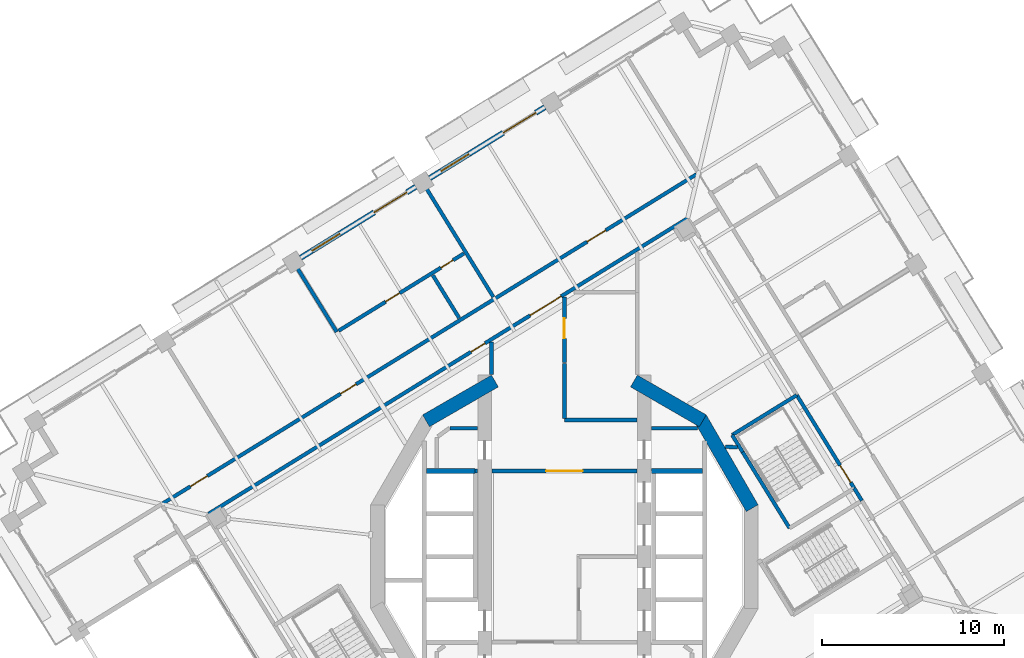
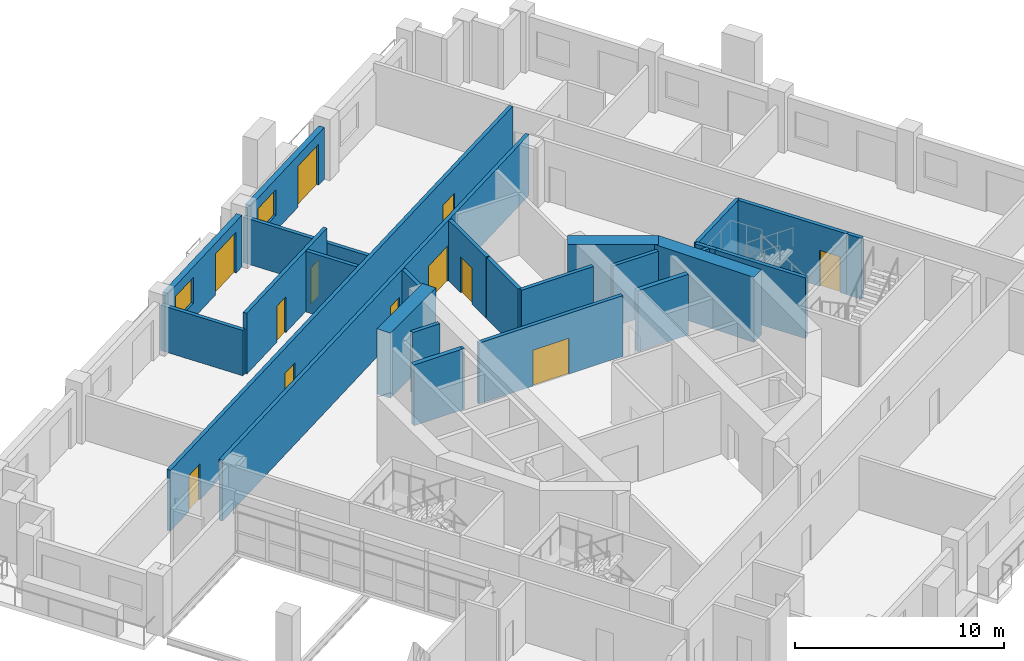
# One storey, part 9 of 20: 27 walls, 12 doors, 2 windows, 14 openings.
"""IFC4 building model written with IfcOpenShell, lengths in metres."""

from ifc_helpers import new_model, si_unit, direction, frame, frame_2d, origin, place, context, subcontext, project, spatial, rectangle, extrude, material, layer, layer_set, type_object, element, fill, save


model = new_model("IFC4")

# Units and contexts
model_context = context("Model", 3, precision=1e-05, world=origin(), true_north=direction((0.0, 1.0)))
body_context = subcontext(model_context, "Body", "Model", "MODEL_VIEW")
ifc_project = project(units=[si_unit("LENGTHUNIT", "METRE"), si_unit("AREAUNIT", "SQUARE_METRE"), si_unit("VOLUMEUNIT", "CUBIC_METRE"), si_unit("PLANEANGLEUNIT", "RADIAN"), si_unit("MASSUNIT", "GRAM", prefix="KILO")], contexts=[model_context])

# Site, building, storey
site_placement = place(None, origin())
site = spatial("IfcSite", under=ifc_project, at=site_placement, CompositionType="ELEMENT")
building_placement = place(site_placement, origin())
building = spatial("IfcBuilding", under=site, at=building_placement, Name="Cantera Rosa Tower", CompositionType="ELEMENT")
storey_placement = place(building_placement, frame((0.0, 0.0, 155.199951171875)))
storey = spatial("IfcBuildingStorey", under=building, at=storey_placement, Name="L33", CompositionType="ELEMENT", Elevation=155.199951171875)

# Wall
ifc_material_1 = material(Name="Gypsum board partition")
ifc_layer_1 = layer(ifc_material_1, 0.199951171875)
ifc_layer_set_1 = layer_set([ifc_layer_1], Name="CORRIDOR WALL 200 H3550")
wall_type_1 = type_object("IfcWallType", Name="CORRIDOR WALL 200 H3550", PredefinedType="PARTITIONING", material=ifc_layer_set_1)
wall_1_placement = place(storey_placement, frame((-4.0, 11.765625, 0.0), z_axis=(0.0, 0.0, 1.0), x_axis=(0.0, -1.0, 0.0)))
element("IfcWall", 1, at=wall_1_placement, inside=storey, type_object=wall_type_1, Name="CORRIDOR WALL L33-053", PredefinedType="PARTITIONING", context=body_context, shape_type="SweptSolid", body=[
    extrude(rectangle(XDim=1.771484375, YDim=0.199951171875, at=frame_2d((0.8857421875, 0.0))), origin(), (0.0, 0.0, 1.0), 3.550048828125),
])

# Wall, opening, door
wall_2_placement = place(storey_placement, frame((-3.969970703125, 4.699951171875, 0.0), z_axis=(0.0, 0.0, 1.0), x_axis=(1.0, 0.0, 0.0)))
wall_2 = element("IfcWall", 2, at=wall_2_placement, inside=storey, type_object=wall_type_1, Name="CORRIDOR WALL L33-054", PredefinedType="PARTITIONING", context=body_context, shape_type="SweptSolid", body=[
    extrude(rectangle(XDim=7.93994140625, YDim=0.199951171875, at=frame_2d((3.969970703125, 0.0))), origin(), (0.0, 0.0, 1.0), 3.550048828125),
])
opening_1_placement = place(wall_2_placement, frame((2.969970703125, 0.0, 0.0)))
opening_1 = element("IfcOpeningElement", 3, at=opening_1_placement, cuts=wall_2, Name="Opening L33-010", PredefinedType="OPENING", context=body_context, shape_type="SweptSolid", body=[
    extrude(rectangle(XDim=2.0, YDim=2.10009765625, at=frame_2d((1.0, 1.050048828125))), frame((0.0, 0.10986328125, 0.0), z_axis=(0.0, -1.0, 0.0), x_axis=(1.0, 0.0, 0.0)), (0.0, 0.0, 1.0), 0.219970703125),
])
ifc_material_2 = material(Name="Steel S355J2 (EN 10025-2)", Category="steel")
door_type_1 = type_object("IfcDoorType", Name="LOBBY SCREEN DOOR 2000x2100", OperationType="NOTDEFINED", PredefinedType="DOOR", material=ifc_material_2)
door_1_placement = place(opening_1_placement, origin())
door_1 = element("IfcDoor", 4, at=door_1_placement, inside=storey, type_object=door_type_1, Name="DOOR L33-010", OperationType="NOTDEFINED", OverallHeight=2.10009765625, OverallWidth=2.0, PredefinedType="DOOR", context=body_context, shape_type="SweptSolid", body=[
    extrude(rectangle(XDim=2.0, YDim=2.10009765625, at=frame_2d((1.0, 1.050048828125))), frame((0.0, 0.02490234375, 0.0), z_axis=(0.0, -1.0, 0.0), x_axis=(1.0, 0.0, 0.0)), (0.0, 0.0, 1.0), 0.050048828125),
])
fill(opening_1, door_1)

# Walls
wall_3_placement = place(storey_placement, frame((0.0, 7.5, 0.0), z_axis=(0.0, 0.0, 1.0), x_axis=(1.0, 0.0, 0.0)))
element("IfcWall", 5, at=wall_3_placement, inside=storey, type_object=wall_type_1, Name="CORRIDOR WALL L33-060", PredefinedType="PARTITIONING", context=body_context, shape_type="SweptSolid", body=[
    extrude(rectangle(XDim=3.969970703125, YDim=0.199951171875, at=frame_2d((1.98486328125, 0.0))), origin(), (0.0, 0.0, 1.0), 3.550048828125),
])
wall_4_placement = place(storey_placement, frame((0.0, 10.59521484375, 0.0), z_axis=(0.0, 0.0, 1.0), x_axis=(0.0, -1.0, 0.0)))
element("IfcWall", 6, at=wall_4_placement, inside=storey, type_object=wall_type_1, Name="CORRIDOR WALL L33-061", PredefinedType="PARTITIONING", context=body_context, shape_type="SweptSolid", body=[
    extrude(rectangle(XDim=3.01513671875, YDim=0.199951171875, at=frame_2d((1.507568359375, 0.0))), origin(), (0.0, 0.0, 1.0), 3.550048828125),
])

# Wall, opening, door
wall_5_placement = place(storey_placement, frame((0.0, 14.23291015625, 0.0), z_axis=(0.0, 0.0, 1.0), x_axis=(0.0, -1.0, 0.0)))
wall_5 = element("IfcWall", 7, at=wall_5_placement, inside=storey, type_object=wall_type_1, Name="CORRIDOR WALL L33-062", PredefinedType="PARTITIONING", context=body_context, shape_type="SweptSolid", body=[
    extrude(rectangle(XDim=3.57763671875, YDim=0.199951171875, at=frame_2d((1.788818359375, 0.0))), origin(), (0.0, 0.0, 1.0), 3.550048828125),
])
opening_2_placement = place(wall_5_placement, frame((1.15869140625, 0.0, 0.0)))
opening_2 = element("IfcOpeningElement", 8, at=opening_2_placement, cuts=wall_5, Name="Opening L33-014", PredefinedType="OPENING", context=body_context, shape_type="SweptSolid", body=[
    extrude(rectangle(XDim=1.10009765625, YDim=2.10009765625, at=frame_2d((0.550048828125, 1.050048828125))), frame((0.0, 0.10986328125, 0.0), z_axis=(0.0, -1.0, 0.0), x_axis=(1.0, 0.0, 0.0)), (0.0, 0.0, 1.0), 0.219970703125),
])
ifc_material_3 = material(Name="Timber door leaf", Category="wood")
door_type_2 = type_object("IfcDoorType", Name="ROOM DOOR 1100x2100", OperationType="NOTDEFINED", PredefinedType="DOOR", material=ifc_material_3)
door_2_placement = place(opening_2_placement, origin())
door_2 = element("IfcDoor", 9, at=door_2_placement, inside=storey, type_object=door_type_2, Name="DOOR L33-014", OperationType="NOTDEFINED", OverallHeight=2.10009765625, OverallWidth=1.10009765625, PredefinedType="DOOR", context=body_context, shape_type="SweptSolid", body=[
    extrude(rectangle(XDim=1.10009765625, YDim=2.10009765625, at=frame_2d((0.550048828125, 1.050048828125))), frame((0.0, 0.02490234375, 0.0), z_axis=(0.0, -1.0, 0.0), x_axis=(1.0, 0.0, 0.0)), (0.0, 0.0, 1.0), 0.050048828125),
])
fill(opening_2, door_2)

# Wall, openings, doors
wall_6_placement = place(storey_placement, frame((6.76123046875, 18.563232421875, 0.0), z_axis=(0.0, 0.0, 1.0), x_axis=(-0.851115762051, -0.524978056292, 0.0)))
wall_6 = element("IfcWall", 10, at=wall_6_placement, inside=storey, type_object=wall_type_1, Name="CORRIDOR WALL L33-081", PredefinedType="PARTITIONING", context=body_context, shape_type="SweptSolid", body=[
    extrude(rectangle(XDim=30.879638671875, YDim=0.199951171875, at=frame_2d((15.43994140625, 0.0))), origin(), (0.0, 0.0, 1.0), 3.550048828125),
])
opening_3_placement = place(wall_6_placement, frame((13.066650390625, 0.0, 0.0)))
opening_3 = element("IfcOpeningElement", 11, at=opening_3_placement, cuts=wall_6, Name="Opening L33-006", PredefinedType="OPENING", context=body_context, shape_type="SweptSolid", body=[
    extrude(rectangle(XDim=0.89990234375, YDim=2.10009765625, at=frame_2d((0.449951171875, 1.050048828125))), frame((0.0, 0.10986328125, 0.0), z_axis=(0.0, -1.0, 0.0), x_axis=(1.0, 0.0, 0.0)), (0.0, 0.0, 1.0), 0.219970703125),
])
opening_4_placement = place(wall_6_placement, frame((8.1533203125, 0.0, 0.0)))
opening_4 = element("IfcOpeningElement", 12, at=opening_4_placement, cuts=wall_6, Name="Opening L33-009", PredefinedType="OPENING", context=body_context, shape_type="SweptSolid", body=[
    extrude(rectangle(XDim=2.0, YDim=2.10009765625, at=frame_2d((1.0, 1.050048828125))), frame((0.0, 0.10986328125, 0.0), z_axis=(0.0, -1.0, 0.0), x_axis=(1.0, 0.0, 0.0)), (0.0, 0.0, 1.0), 0.219970703125),
])
door_3_placement = place(opening_4_placement, origin())
door_3 = element("IfcDoor", 13, at=door_3_placement, inside=storey, type_object=door_type_1, Name="DOOR L33-009", OperationType="NOTDEFINED", OverallHeight=2.10009765625, OverallWidth=2.0, PredefinedType="DOOR", context=body_context, shape_type="SweptSolid", body=[
    extrude(rectangle(XDim=2.0, YDim=2.10009765625, at=frame_2d((1.0, 1.050048828125))), frame((0.0, 0.02490234375, 0.0), z_axis=(0.0, -1.0, 0.0), x_axis=(1.0, 0.0, 0.0)), (0.0, 0.0, 1.0), 0.050048828125),
])
fill(opening_4, door_3)
ifc_material_4 = material(Name="Timber door leaf", Category="wood")
door_type_3 = type_object("IfcDoorType", Name="SERVICE DOOR 900x2100", OperationType="NOTDEFINED", PredefinedType="DOOR", material=ifc_material_4)
door_4_placement = place(opening_3_placement, origin())
door_4 = element("IfcDoor", 14, at=door_4_placement, inside=storey, type_object=door_type_3, Name="DOOR L33-006", OperationType="NOTDEFINED", OverallHeight=2.10009765625, OverallWidth=0.89990234375, PredefinedType="DOOR", context=body_context, shape_type="SweptSolid", body=[
    extrude(rectangle(XDim=0.89990234375, YDim=2.10009765625, at=frame_2d((0.449951171875, 1.050048828125))), frame((0.0, 0.02490234375, 0.0), z_axis=(0.0, -1.0, 0.0), x_axis=(1.0, 0.0, 0.0)), (0.0, 0.0, 1.0), 0.050048828125),
])
fill(opening_3, door_4)

wall_7_placement = place(storey_placement, frame((7.246337890625, 20.977294921875, 0.0), z_axis=(0.0, 0.0, 1.0), x_axis=(-0.851117666999, -0.524974967901, 0.0)))
wall_7 = element("IfcWall", 15, at=wall_7_placement, inside=storey, type_object=wall_type_1, Name="CORRIDOR WALL L33-085", PredefinedType="PARTITIONING", context=body_context, shape_type="SweptSolid", body=[
    extrude(rectangle(XDim=34.47998046875, YDim=0.199951171875, at=frame_2d((17.239990234375, 0.0))), origin(), (0.0, 0.0, 1.0), 3.550048828125),
])
opening_5_placement = place(wall_7_placement, frame((5.85009765625, 0.0, 0.0)))
opening_5 = element("IfcOpeningElement", 16, at=opening_5_placement, cuts=wall_7, Name="Opening L33-025", PredefinedType="OPENING", context=body_context, shape_type="SweptSolid", body=[
    extrude(rectangle(XDim=1.199951171875, YDim=2.10009765625, at=frame_2d((0.60009765625, 1.050048828125))), frame((0.0, 0.10986328125, 0.0), z_axis=(0.0, -1.0, 0.0), x_axis=(1.0, 0.0, 0.0)), (0.0, 0.0, 1.0), 0.219970703125),
])
opening_6_placement = place(wall_7_placement, frame((21.93994140625, 0.0, 0.0)))
opening_6 = element("IfcOpeningElement", 17, at=opening_6_placement, cuts=wall_7, Name="Opening L33-026", PredefinedType="OPENING", context=body_context, shape_type="SweptSolid", body=[
    extrude(rectangle(XDim=1.0, YDim=2.10009765625, at=frame_2d((0.5, 1.050048828125))), frame((0.0, 0.10986328125, 0.0), z_axis=(0.0, -1.0, 0.0), x_axis=(1.0, 0.0, 0.0)), (0.0, 0.0, 1.0), 0.219970703125),
])
opening_7_placement = place(wall_7_placement, frame((31.52001953125, 0.0, 0.0)))
opening_7 = element("IfcOpeningElement", 18, at=opening_7_placement, cuts=wall_7, Name="Opening L33-029", PredefinedType="OPENING", context=body_context, shape_type="SweptSolid", body=[
    extrude(rectangle(XDim=1.10009765625, YDim=2.10009765625, at=frame_2d((0.550048828125, 1.050048828125))), frame((0.0, 0.10986328125, 0.0), z_axis=(0.0, -1.0, 0.0), x_axis=(1.0, 0.0, 0.0)), (0.0, 0.0, 1.0), 0.219970703125),
])
ifc_material_5 = material(Name="Timber door leaf", Category="wood")
door_type_4 = type_object("IfcDoorType", Name="ENTRANCE DOOR 1000x2100", OperationType="NOTDEFINED", PredefinedType="DOOR", material=ifc_material_5)
door_5_placement = place(opening_6_placement, origin())
door_5 = element("IfcDoor", 19, at=door_5_placement, inside=storey, type_object=door_type_4, Name="DOOR L33-026", OperationType="NOTDEFINED", OverallHeight=2.10009765625, OverallWidth=1.0, PredefinedType="DOOR", context=body_context, shape_type="SweptSolid", body=[
    extrude(rectangle(XDim=1.0, YDim=2.10009765625, at=frame_2d((0.5, 1.050048828125))), frame((0.0, 0.02490234375, 0.0), z_axis=(0.0, -1.0, 0.0), x_axis=(1.0, 0.0, 0.0)), (0.0, 0.0, 1.0), 0.050048828125),
])
fill(opening_6, door_5)
door_6_placement = place(opening_7_placement, origin())
door_6 = element("IfcDoor", 20, at=door_6_placement, inside=storey, type_object=door_type_2, Name="DOOR L33-029", OperationType="NOTDEFINED", OverallHeight=2.10009765625, OverallWidth=1.10009765625, PredefinedType="DOOR", context=body_context, shape_type="SweptSolid", body=[
    extrude(rectangle(XDim=1.10009765625, YDim=2.10009765625, at=frame_2d((0.550048828125, 1.050048828125))), frame((0.0, 0.02490234375, 0.0), z_axis=(0.0, -1.0, 0.0), x_axis=(1.0, 0.0, 0.0)), (0.0, 0.0, 1.0), 0.050048828125),
])
fill(opening_7, door_6)
ifc_material_6 = material(Name="Timber door leaf", Category="wood")
door_type_5 = type_object("IfcDoorType", Name="ROOM DOOR 1200x2100", OperationType="NOTDEFINED", PredefinedType="DOOR", material=ifc_material_6)
door_7_placement = place(opening_5_placement, origin())
door_7 = element("IfcDoor", 21, at=door_7_placement, inside=storey, type_object=door_type_5, Name="DOOR L33-025", OperationType="NOTDEFINED", OverallHeight=2.10009765625, OverallWidth=1.199951171875, PredefinedType="DOOR", context=body_context, shape_type="SweptSolid", body=[
    extrude(rectangle(XDim=1.199951171875, YDim=2.10009765625, at=frame_2d((0.60009765625, 1.050048828125))), frame((0.0, 0.02490234375, 0.0), z_axis=(0.0, -1.0, 0.0), x_axis=(1.0, 0.0, 0.0)), (0.0, 0.0, 1.0), 0.050048828125),
])
fill(opening_5, door_7)

# Wall
wall_8_placement = place(storey_placement, frame((16.31591796875, 3.072998046875, 0.0), z_axis=(0.0, 0.0, 1.0), x_axis=(-0.524947597637, 0.85113454855, 0.0)))
element("IfcWall", 22, at=wall_8_placement, inside=storey, type_object=wall_type_1, Name="CORRIDOR WALL L33-107", PredefinedType="PARTITIONING", context=body_context, shape_type="SweptSolid", body=[
    extrude(rectangle(XDim=0.80078125, YDim=0.199951171875, at=frame_2d((0.400390625, 0.0))), origin(), (0.0, 0.0, 1.0), 3.550048828125),
])

# Wall, openings, window, door
ifc_material_7 = material(Name="Hollow clay masonry with cantera stone cladding", Category="masonry")
ifc_layer_2 = layer(ifc_material_7, 0.300048828125)
ifc_layer_set_2 = layer_set([ifc_layer_2], Name="EW-LOGGIA 300 H3020")
wall_type_2 = type_object("IfcWallType", Name="EW-LOGGIA 300 H3020", PredefinedType="SOLIDWALL", material=ifc_layer_set_2)
wall_9_placement = place(storey_placement, frame((-1.07421875, 24.656982421875, 0.0), z_axis=(0.0, 0.0, 1.0), x_axis=(-0.85112578684, -0.524961803349, 0.0)))
wall_9 = element("IfcWall", 23, at=wall_9_placement, inside=storey, type_object=wall_type_2, Name="EN-L33-W09", PredefinedType="SOLIDWALL", context=body_context, shape_type="SweptSolid", body=[
    extrude(rectangle(XDim=7.420166015625, YDim=0.300048828125, at=frame_2d((3.7099609375, 0.0))), origin(), (0.0, 0.0, 1.0), 3.02001953125),
])
opening_8_placement = place(wall_9_placement, frame((0.580078125, 0.0, 0.0)))
opening_8 = element("IfcOpeningElement", 24, at=opening_8_placement, cuts=wall_9, Name="Opening L33-TD13", PredefinedType="OPENING", context=body_context, shape_type="SweptSolid", body=[
    extrude(rectangle(XDim=2.10009765625, YDim=2.39990234375, at=frame_2d((1.050048828125, 1.199951171875))), frame((0.0, 0.159912109375, 0.0), z_axis=(0.0, -1.0, 0.0), x_axis=(1.0, 0.0, 0.0)), (0.0, 0.0, 1.0), 0.320068359375),
])
opening_9_placement = place(wall_9_placement, frame((4.889892578125, 0.0, 0.89990234375)))
opening_9 = element("IfcOpeningElement", 25, at=opening_9_placement, cuts=wall_9, Name="Opening L33-W14", PredefinedType="OPENING", context=body_context, shape_type="SweptSolid", body=[
    extrude(rectangle(XDim=1.800048828125, YDim=1.5, at=frame_2d((0.89990234375, 0.75))), frame((0.0, 0.159912109375, 0.0), z_axis=(0.0, -1.0, 0.0), x_axis=(1.0, 0.0, 0.0)), (0.0, 0.0, 1.0), 0.320068359375),
])
ifc_material_8 = material(Name="Aluminium frame with clear glass", Category="aluminium")
window_type = type_object("IfcWindowType", Name="Hotel room window 1800x1500", PartitioningType="DOUBLE_PANEL_VERTICAL", PredefinedType="WINDOW", material=ifc_material_8)
window_1_placement = place(opening_9_placement, origin())
window_1 = element("IfcWindow", 26, at=window_1_placement, inside=storey, type_object=window_type, Name="WINDOW L33-W14", OverallHeight=1.5, OverallWidth=1.800048828125, PartitioningType="SINGLE_PANEL", PredefinedType="WINDOW", context=body_context, shape_type="SweptSolid", body=[
    extrude(rectangle(XDim=1.800048828125, YDim=1.5, at=frame_2d((0.89990234375, 0.75))), frame((0.0, 0.030029296875, 0.0), z_axis=(0.0, -1.0, 0.0), x_axis=(1.0, 0.0, 0.0)), (0.0, 0.0, 1.0), 0.06005859375),
])
fill(opening_9, window_1)
ifc_material_9 = material(Name="Aluminium frame with clear glass", Category="aluminium")
door_type_6 = type_object("IfcDoorType", Name="TD-H 2100x2400", OperationType="NOTDEFINED", PredefinedType="DOOR", material=ifc_material_9)
door_8_placement = place(opening_8_placement, origin())
door_8 = element("IfcDoor", 27, at=door_8_placement, inside=storey, type_object=door_type_6, Name="LOGGIA DOOR L33-TD13", OperationType="SLIDING_TO_LEFT", OverallHeight=2.39990234375, OverallWidth=2.10009765625, PredefinedType="DOOR", context=body_context, shape_type="SweptSolid", body=[
    extrude(rectangle(XDim=2.10009765625, YDim=2.39990234375, at=frame_2d((1.050048828125, 1.199951171875))), frame((0.0, 0.02490234375, 0.0), z_axis=(0.0, -1.0, 0.0), x_axis=(1.0, 0.0, 0.0)), (0.0, 0.0, 1.0), 0.050048828125),
])
fill(opening_8, door_8)

wall_10_placement = place(storey_placement, frame((-8.155517578125, 20.289306640625, 0.0), z_axis=(0.0, 0.0, 1.0), x_axis=(-0.851111085575, -0.524985637909, 0.0)))
wall_10 = element("IfcWall", 28, at=wall_10_placement, inside=storey, type_object=wall_type_2, Name="EN-L33-W10", PredefinedType="SOLIDWALL", context=body_context, shape_type="SweptSolid", body=[
    extrude(rectangle(XDim=7.420166015625, YDim=0.300048828125, at=frame_2d((3.7099609375, 0.0))), origin(), (0.0, 0.0, 1.0), 3.02001953125),
])
opening_10_placement = place(wall_10_placement, frame((0.580078125, 0.0, 0.0)))
opening_10 = element("IfcOpeningElement", 29, at=opening_10_placement, cuts=wall_10, Name="Opening L33-TD15", PredefinedType="OPENING", context=body_context, shape_type="SweptSolid", body=[
    extrude(rectangle(XDim=2.10009765625, YDim=2.39990234375, at=frame_2d((1.050048828125, 1.199951171875))), frame((0.0, 0.159912109375, 0.0), z_axis=(0.0, -1.0, 0.0), x_axis=(1.0, 0.0, 0.0)), (0.0, 0.0, 1.0), 0.320068359375),
])
opening_11_placement = place(wall_10_placement, frame((4.889892578125, 0.0, 0.89990234375)))
opening_11 = element("IfcOpeningElement", 30, at=opening_11_placement, cuts=wall_10, Name="Opening L33-W16", PredefinedType="OPENING", context=body_context, shape_type="SweptSolid", body=[
    extrude(rectangle(XDim=1.800048828125, YDim=1.5, at=frame_2d((0.89990234375, 0.75))), frame((0.0, 0.159912109375, 0.0), z_axis=(0.0, -1.0, 0.0), x_axis=(1.0, 0.0, 0.0)), (0.0, 0.0, 1.0), 0.320068359375),
])
window_2_placement = place(opening_11_placement, origin())
window_2 = element("IfcWindow", 31, at=window_2_placement, inside=storey, type_object=window_type, Name="WINDOW L33-W16", OverallHeight=1.5, OverallWidth=1.800048828125, PartitioningType="SINGLE_PANEL", PredefinedType="WINDOW", context=body_context, shape_type="SweptSolid", body=[
    extrude(rectangle(XDim=1.800048828125, YDim=1.5, at=frame_2d((0.89990234375, 0.75))), frame((0.0, 0.030029296875, 0.0), z_axis=(0.0, -1.0, 0.0), x_axis=(1.0, 0.0, 0.0)), (0.0, 0.0, 1.0), 0.06005859375),
])
fill(opening_11, window_2)
door_9_placement = place(opening_10_placement, origin())
door_9 = element("IfcDoor", 32, at=door_9_placement, inside=storey, type_object=door_type_6, Name="LOGGIA DOOR L33-TD15", OperationType="SLIDING_TO_LEFT", OverallHeight=2.39990234375, OverallWidth=2.10009765625, PredefinedType="DOOR", context=body_context, shape_type="SweptSolid", body=[
    extrude(rectangle(XDim=2.10009765625, YDim=2.39990234375, at=frame_2d((1.050048828125, 1.199951171875))), frame((0.0, 0.02490234375, 0.0), z_axis=(0.0, -1.0, 0.0), x_axis=(1.0, 0.0, 0.0)), (0.0, 0.0, 1.0), 0.050048828125),
])
fill(opening_10, door_9)

# Walls
ifc_material_10 = material(Name="Gypsum board partition")
ifc_layer_3 = layer(ifc_material_10, 0.199951171875)
ifc_layer_set_3 = layer_set([ifc_layer_3], Name="PARTITION 200 H2650")
wall_type_3 = type_object("IfcWallType", Name="PARTITION 200 H2650", PredefinedType="PARTITIONING", material=ifc_layer_set_3)
wall_11_placement = place(storey_placement, frame((-12.491455078125, 12.32763671875, 0.0), z_axis=(0.0, 0.0, 1.0), x_axis=(-0.524986965499, 0.851110266685, 0.0)))
element("IfcWall", 33, at=wall_11_placement, inside=storey, type_object=wall_type_3, Name="PARTITION L33-021", PredefinedType="PARTITIONING", context=body_context, shape_type="SweptSolid", body=[
    extrude(rectangle(XDim=4.469970703125, YDim=0.199951171875, at=frame_2d((2.23486328125, 0.0))), origin(), (0.0, 0.0, 1.0), 2.650146484375),
])
ifc_material_11 = material(Name="Gypsum board partition")
ifc_layer_4 = layer(ifc_material_11, 0.199951171875)
ifc_layer_set_4 = layer_set([ifc_layer_4], Name="PARTITION 200 H3550")
wall_type_4 = type_object("IfcWallType", Name="PARTITION 200 H3550", PredefinedType="PARTITIONING", material=ifc_layer_set_4)
wall_12_placement = place(storey_placement, frame((-6.273681640625, 7.050048828125, 0.0), z_axis=(0.0, 0.0, 1.0), x_axis=(1.0, 0.0, 0.0)))
element("IfcWall", 34, at=wall_12_placement, inside=storey, type_object=wall_type_4, Name="PARTITION L33-043", PredefinedType="PARTITIONING", context=body_context, shape_type="SweptSolid", body=[
    extrude(rectangle(XDim=1.49365234375, YDim=0.199951171875, at=frame_2d((0.746826171875, 0.0))), origin(), (0.0, 0.0, 1.0), 3.550048828125),
])
wall_13_placement = place(storey_placement, frame((-5.770751953125, 13.08935546875, 0.0), z_axis=(0.0, 0.0, 1.0), x_axis=(-0.524980555024, 0.851114220799, 0.0)))
element("IfcWall", 35, at=wall_13_placement, inside=storey, type_object=wall_type_4, Name="PARTITION L33-045", PredefinedType="PARTITIONING", context=body_context, shape_type="SweptSolid", body=[
    extrude(rectangle(XDim=2.760009765625, YDim=0.199951171875, at=frame_2d((1.3798828125, 0.0))), origin(), (0.0, 0.0, 1.0), 3.550048828125),
])

# Wall, openings, doors
wall_14_placement = place(storey_placement, frame((-5.51220703125, 16.63232421875, 0.0), z_axis=(0.0, 0.0, 1.0), x_axis=(-0.851128794502, -0.524956926965, 0.0)))
wall_14 = element("IfcWall", 36, at=wall_14_placement, inside=storey, type_object=wall_type_4, Name="PARTITION L33-046", PredefinedType="PARTITIONING", context=body_context, shape_type="SweptSolid", body=[
    extrude(rectangle(XDim=8.080078125, YDim=0.199951171875, at=frame_2d((4.0400390625, 0.0))), origin(), (0.0, 0.0, 1.0), 3.550048828125),
])
opening_12_placement = place(wall_14_placement, frame((4.139892578125, 0.0, 0.0)))
opening_12 = element("IfcOpeningElement", 37, at=opening_12_placement, cuts=wall_14, Name="Opening L33-027", PredefinedType="OPENING", context=body_context, shape_type="SweptSolid", body=[
    extrude(rectangle(XDim=0.89990234375, YDim=2.10009765625, at=frame_2d((0.449951171875, 1.050048828125))), frame((0.0, 0.10986328125, 0.0), z_axis=(0.0, -1.0, 0.0), x_axis=(1.0, 0.0, 0.0)), (0.0, 0.0, 1.0), 0.219970703125),
])
opening_13_placement = place(wall_14_placement, frame((0.68994140625, 0.0, 0.0)))
opening_13 = element("IfcOpeningElement", 38, at=opening_13_placement, cuts=wall_14, Name="Opening L33-028", PredefinedType="OPENING", context=body_context, shape_type="SweptSolid", body=[
    extrude(rectangle(XDim=0.800048828125, YDim=2.10009765625, at=frame_2d((0.39990234375, 1.050048828125))), frame((0.0, 0.10986328125, 0.0), z_axis=(0.0, -1.0, 0.0), x_axis=(1.0, 0.0, 0.0)), (0.0, 0.0, 1.0), 0.219970703125),
])
ifc_material_12 = material(Name="Timber door leaf", Category="wood")
door_type_7 = type_object("IfcDoorType", Name="BATHROOM DOOR 800x2100", OperationType="NOTDEFINED", PredefinedType="DOOR", material=ifc_material_12)
door_10_placement = place(opening_13_placement, origin())
door_10 = element("IfcDoor", 39, at=door_10_placement, inside=storey, type_object=door_type_7, Name="DOOR L33-028", OperationType="NOTDEFINED", OverallHeight=2.10009765625, OverallWidth=0.800048828125, PredefinedType="DOOR", context=body_context, shape_type="SweptSolid", body=[
    extrude(rectangle(XDim=0.800048828125, YDim=2.10009765625, at=frame_2d((0.39990234375, 1.050048828125))), frame((0.0, 0.02490234375, 0.0), z_axis=(0.0, -1.0, 0.0), x_axis=(1.0, 0.0, 0.0)), (0.0, 0.0, 1.0), 0.050048828125),
])
fill(opening_13, door_10)
ifc_material_13 = material(Name="Timber door leaf", Category="wood")
door_type_8 = type_object("IfcDoorType", Name="ROOM DOOR 900x2100", OperationType="NOTDEFINED", PredefinedType="DOOR", material=ifc_material_13)
door_11_placement = place(opening_12_placement, origin())
door_11 = element("IfcDoor", 40, at=door_11_placement, inside=storey, type_object=door_type_8, Name="DOOR L33-027", OperationType="NOTDEFINED", OverallHeight=2.10009765625, OverallWidth=0.89990234375, PredefinedType="DOOR", context=body_context, shape_type="SweptSolid", body=[
    extrude(rectangle(XDim=0.89990234375, YDim=2.10009765625, at=frame_2d((0.449951171875, 1.050048828125))), frame((0.0, 0.02490234375, 0.0), z_axis=(0.0, -1.0, 0.0), x_axis=(1.0, 0.0, 0.0)), (0.0, 0.0, 1.0), 0.050048828125),
])
fill(opening_12, door_11)

# Walls
wall_15_placement = place(storey_placement, frame((-4.780029296875, 4.699951171875, 0.0), z_axis=(0.0, 0.0, 1.0), x_axis=(-1.0, 0.0, 0.0)))
element("IfcWall", 41, at=wall_15_placement, inside=storey, type_object=wall_type_4, Name="PARTITION L33-050", PredefinedType="PARTITIONING", context=body_context, shape_type="SweptSolid", body=[
    extrude(rectangle(XDim=0.119873046875, YDim=0.199951171875, at=frame_2d((0.06005859375, 0.0))), origin(), (0.0, 0.0, 1.0), 3.550048828125),
])
wall_16_placement = place(storey_placement, frame((4.780029296875, 7.050048828125, 0.0), z_axis=(0.0, 0.0, 1.0), x_axis=(1.0, 0.0, 0.0)))
element("IfcWall", 42, at=wall_16_placement, inside=storey, type_object=wall_type_4, Name="PARTITION L33-076", PredefinedType="PARTITIONING", context=body_context, shape_type="SweptSolid", body=[
    extrude(rectangle(XDim=2.517822265625, YDim=0.199951171875, at=frame_2d((1.2587890625, 0.0))), origin(), (0.0, 0.0, 1.0), 3.550048828125),
])
wall_17_placement = place(storey_placement, frame((9.49658203125, 6.001708984375, 0.0), z_axis=(0.0, 0.0, 1.0), x_axis=(-0.999163532826, 0.04089296603, 0.0)))
element("IfcWall", 43, at=wall_17_placement, inside=storey, type_object=wall_type_4, Name="PARTITION L33-094", PredefinedType="PARTITIONING", context=body_context, shape_type="SweptSolid", body=[
    extrude(rectangle(XDim=0.674560546875, YDim=0.199951171875, at=frame_2d((0.33740234375, 0.0))), origin(), (0.0, 0.0, 1.0), 3.550048828125),
])
ifc_material_14 = material(Name="Gypsum board partition")
ifc_layer_5 = layer(ifc_material_14, 0.199951171875)
ifc_layer_set_5 = layer_set([ifc_layer_5], Name="PARTY WALL 200 H2650")
wall_type_5 = type_object("IfcWallType", Name="PARTY WALL 200 H2650", PredefinedType="PARTITIONING", material=ifc_layer_set_5)
wall_18_placement = place(storey_placement, frame((-3.898193359375, 14.244140625, 0.0), z_axis=(0.0, 0.0, 1.0), x_axis=(-0.524973728225, 0.851118431638, 0.0)))
element("IfcWall", 44, at=wall_18_placement, inside=storey, type_object=wall_type_5, Name="PARTY WALL L33-055", PredefinedType="PARTITIONING", context=body_context, shape_type="SweptSolid", body=[
    extrude(rectangle(XDim=7.35009765625, YDim=0.199951171875, at=frame_2d((3.675048828125, 0.0))), origin(), (0.0, 0.0, 1.0), 2.650146484375),
])
ifc_material_15 = material(Name="Concrete C60/75", Category="concrete")
ifc_layer_6 = layer(ifc_material_15, 0.75)
ifc_layer_set_6 = layer_set([ifc_layer_6], Name="RC CORE WALL 750 C60/75")
wall_type_6 = type_object("IfcWallType", Name="RC CORE WALL 750 C60/75", PredefinedType="SHEAR", material=ifc_layer_set_6)
for number, where, z_axis, x_axis, name in (
    (45, (-7.590576171875, 7.453369140625, 0.0), (0.0, 0.0, 1.0), (0.866013176292, 0.50002117804, 0.0), "CW-W5 L33"),
    (46, (3.8125, 9.634765625, 0.0), (0.0, 0.0, 1.0), (0.866013176292, -0.50002117804, 0.0), "CW-E1 L33"),
):
    element("IfcWall", number, at=place(storey_placement, frame(where, z_axis=z_axis, x_axis=x_axis)), inside=storey, type_object=wall_type_6, Name=name, PredefinedType="SHEAR", context=body_context, shape_type="SweptSolid", body=[
        extrude(rectangle(XDim=4.362548828125, YDim=0.75, at=frame_2d((2.18115234375, 0.0))), origin(), (0.0, 0.0, 1.0), 3.800048828125),
    ])
wall_19_placement = place(storey_placement, frame((7.453369140625, 7.590576171875, 0.0), z_axis=(0.0, 0.0, 1.0), x_axis=(0.500021842983, -0.866012792365, 0.0)))
element("IfcWall", 47, at=wall_19_placement, inside=storey, type_object=wall_type_6, Name="CW-E2 L33", PredefinedType="SHEAR", context=body_context, shape_type="SweptSolid", body=[
    extrude(rectangle(XDim=5.694091796875, YDim=0.75, at=frame_2d((2.84716796875, 0.0))), origin(), (0.0, 0.0, 1.0), 3.800048828125),
])
ifc_material_16 = material(Name="Masonry blockwork", Category="masonry")
ifc_layer_7 = layer(ifc_material_16, 0.25)
ifc_layer_set_7 = layer_set([ifc_layer_7], Name="SHAFT WALL 250 H3550")
wall_type_7 = type_object("IfcWallType", Name="SHAFT WALL 250 H3550", PredefinedType="SOLIDWALL", material=ifc_layer_set_7)
wall_20_placement = place(storey_placement, frame((-7.574951171875, 4.699951171875, 0.0), z_axis=(0.0, 0.0, 1.0), x_axis=(1.0, 0.0, 0.0)))
element("IfcWall", 48, at=wall_20_placement, inside=storey, type_object=wall_type_7, Name="SHAFT WALL L33-034", PredefinedType="SOLIDWALL", context=body_context, shape_type="SweptSolid", body=[
    extrude(rectangle(XDim=2.675048828125, YDim=0.25, at=frame_2d((1.33740234375, 0.0))), origin(), (0.0, 0.0, 1.0), 3.550048828125),
])
wall_21_placement = place(storey_placement, frame((4.780029296875, 4.699951171875, 0.0), z_axis=(0.0, 0.0, 1.0), x_axis=(1.0, 0.0, 0.0)))
element("IfcWall", 49, at=wall_21_placement, inside=storey, type_object=wall_type_7, Name="SHAFT WALL L33-075", PredefinedType="SOLIDWALL", context=body_context, shape_type="SweptSolid", body=[
    extrude(rectangle(XDim=2.794921875, YDim=0.25, at=frame_2d((1.3974609375, 0.0))), origin(), (0.0, 0.0, 1.0), 3.550048828125),
])
ifc_material_17 = material(Name="Concrete C50/60", Category="concrete")
ifc_layer_8 = layer(ifc_material_17, 0.199951171875)
ifc_layer_set_8 = layer_set([ifc_layer_8], Name="STAIR WALL 200 H3550")
wall_type_8 = type_object("IfcWallType", Name="STAIR WALL 200 H3550", PredefinedType="SOLIDWALL", material=ifc_layer_set_8)
wall_22_placement = place(storey_placement, frame((9.199462890625, 6.674072265625, 0.0), z_axis=(0.0, 0.0, 1.0), x_axis=(0.524902102766, -0.851162606387, 0.0)))
element("IfcWall", 50, at=wall_22_placement, inside=storey, type_object=wall_type_8, Name="STAIR WALL L33-092", PredefinedType="SOLIDWALL", context=body_context, shape_type="SweptSolid", body=[
    extrude(rectangle(XDim=1.10009765625, YDim=0.199951171875, at=frame_2d((0.550048828125, 0.0))), origin(), (0.0, 0.0, 1.0), 3.550048828125),
])
wall_23_placement = place(storey_placement, frame((12.74560546875, 8.861328125, 0.0), z_axis=(0.0, 0.0, 1.0), x_axis=(-0.851120688733, -0.524970068871, 0.0)))
element("IfcWall", 51, at=wall_23_placement, inside=storey, type_object=wall_type_8, Name="STAIR WALL L33-102", PredefinedType="SOLIDWALL", context=body_context, shape_type="SweptSolid", body=[
    extrude(rectangle(XDim=4.16650390625, YDim=0.199951171875, at=frame_2d((2.083251953125, 0.0))), origin(), (0.0, 0.0, 1.0), 3.550048828125),
])

# Wall, opening, door
wall_24_placement = place(storey_placement, frame((15.8955078125, 3.754638671875, 0.0), z_axis=(0.0, 0.0, 1.0), x_axis=(-0.524982543144, 0.851112994493, 0.0)))
wall_24 = element("IfcWall", 52, at=wall_24_placement, inside=storey, type_object=wall_type_8, Name="STAIR WALL L33-106", PredefinedType="SOLIDWALL", context=body_context, shape_type="SweptSolid", body=[
    extrude(rectangle(XDim=6.0, YDim=0.199951171875, at=frame_2d((3.0, 0.0))), origin(), (0.0, 0.0, 1.0), 3.550048828125),
])
opening_14_placement = place(wall_24_placement, frame((0.375, 0.0, 0.0)))
opening_14 = element("IfcOpeningElement", 53, at=opening_14_placement, cuts=wall_24, Name="Opening L33-001", PredefinedType="OPENING", context=body_context, shape_type="SweptSolid", body=[
    extrude(rectangle(XDim=1.10009765625, YDim=2.10009765625, at=frame_2d((0.550048828125, 1.050048828125))), frame((0.0, 0.10986328125, 0.0), z_axis=(0.0, -1.0, 0.0), x_axis=(1.0, 0.0, 0.0)), (0.0, 0.0, 1.0), 0.219970703125),
])
ifc_material_18 = material(Name="Steel S355J2 (EN 10025-2)", Category="steel")
door_type_9 = type_object("IfcDoorType", Name="STAIR DOOR 1100x2100", OperationType="NOTDEFINED", PredefinedType="DOOR", material=ifc_material_18)
door_12_placement = place(opening_14_placement, origin())
door_12 = element("IfcDoor", 54, at=door_12_placement, inside=storey, type_object=door_type_9, Name="DOOR L33-001", OperationType="NOTDEFINED", OverallHeight=2.10009765625, OverallWidth=1.10009765625, PredefinedType="DOOR", context=body_context, shape_type="SweptSolid", body=[
    extrude(rectangle(XDim=1.10009765625, YDim=2.10009765625, at=frame_2d((0.550048828125, 1.050048828125))), frame((0.0, 0.02490234375, 0.0), z_axis=(0.0, -1.0, 0.0), x_axis=(1.0, 0.0, 0.0)), (0.0, 0.0, 1.0), 0.050048828125),
])
fill(opening_14, door_12)

# Wall
wall_25_placement = place(storey_placement, frame((9.77685546875, 5.73779296875, 0.0), z_axis=(0.0, 0.0, 1.0), x_axis=(0.525000600504, -0.851101856108, 0.0)))
element("IfcWall", 55, at=wall_25_placement, inside=storey, type_object=wall_type_8, Name="STAIR WALL L33-092 J", PredefinedType="SOLIDWALL", context=body_context, shape_type="SweptSolid", body=[
    extrude(rectangle(XDim=4.89990234375, YDim=0.199951171875, at=frame_2d((2.449951171875, 0.0))), origin(), (0.0, 0.0, 1.0), 3.550048828125),
])

save(model, "model.ifc")
